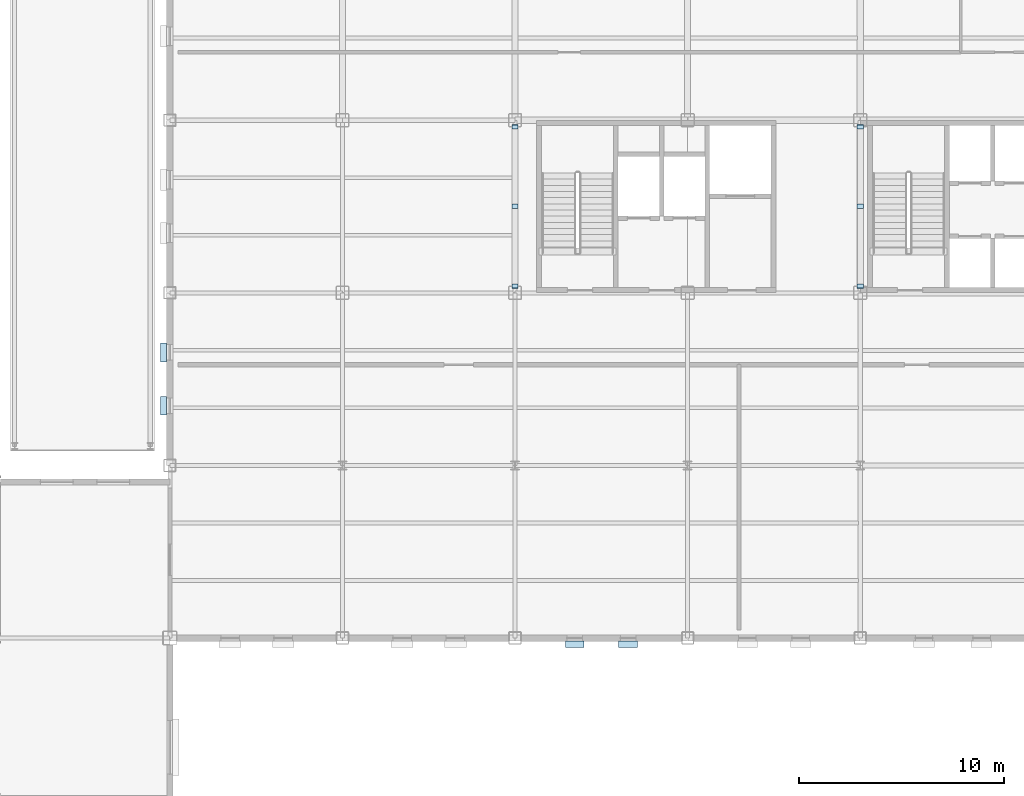
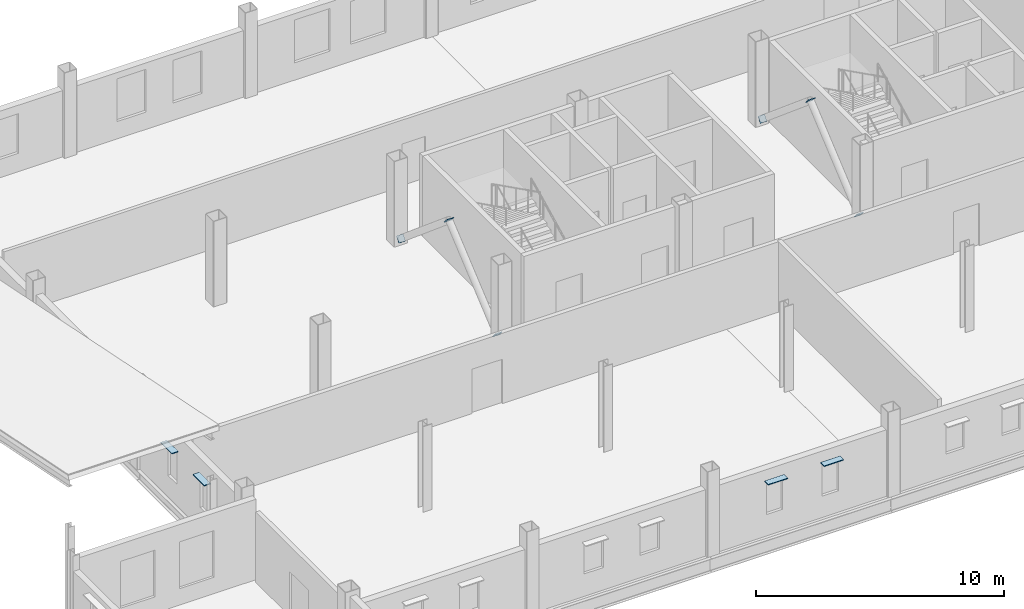
# One storey, part 59 of 75: 10 plates.
"""IFC4 building model written with IfcOpenShell, lengths in metres."""

from ifc_helpers import new_model, si_unit, direction, frame, origin, origin_2d, place, context, subcontext, project, spatial, rectangle, extrude, material, layer, layer_set, type_object, element, save


model = new_model("IFC4")

# Units and contexts
model_context = context("Model", 3, precision=1e-05, world=origin(), true_north=direction((0.0, 1.0)))
body_context = subcontext(model_context, "Body", "Model", "MODEL_VIEW")
ifc_project = project(units=[si_unit("LENGTHUNIT", "METRE"), si_unit("AREAUNIT", "SQUARE_METRE"), si_unit("VOLUMEUNIT", "CUBIC_METRE"), si_unit("PLANEANGLEUNIT", "RADIAN"), si_unit("MASSUNIT", "GRAM", prefix="KILO")], contexts=[model_context])

# Site, building, storey
site_placement = place(None, origin())
site = spatial("IfcSite", under=ifc_project, at=site_placement, CompositionType="ELEMENT")
building_placement = place(site_placement, origin())
building = spatial("IfcBuilding", under=site, at=building_placement, Name="Yukiwa Park Conservatory and Herbarium", CompositionType="ELEMENT")
storey_placement = place(building_placement, frame((0.0, 0.0, 4.800048828125)))
storey = spatial("IfcBuildingStorey", under=building, at=storey_placement, Name="L01", CompositionType="ELEMENT", Elevation=4.800048828125)

# Plates
ifc_material_1 = material(Name="Steel Q355D", Category="steel")
ifc_layer_1 = layer(ifc_material_1, 0.02392578125)
ifc_layer_set_1 = layer_set([ifc_layer_1], Name="Steel Q355D")
plate_type_1 = type_object("IfcPlateType", Name="PL-CAP-24-INT", PredefinedType="USERDEFINED", material=ifc_layer_set_1)
for number, where, z_axis, x_axis, name in (
    (1, (133.199951171875, 95.129638671875, 0.32666015625), (0.0, -0.760686645348, -0.649119270697), (1.0, 0.0, 0.0), "Hollow section end cap plate CAP-BR-L01-009A"),
    (2, (133.199951171875, 98.993896484375, 3.57470703125), (0.0, 0.760686645348, 0.649119270697), (-1.0, 0.0, 0.0), "Hollow section end cap plate CAP-BR-L01-009B"),
    (3, (133.199951171875, 102.870361328125, 0.32666015625), (0.0, 0.760686645348, -0.649119270697), (-1.0, 0.0, 0.0), "Hollow section end cap plate CAP-BR-L01-010A"),
    (4, (150.0, 95.129638671875, 0.32666015625), (0.0, -0.760686645348, -0.649119270697), (1.0, 0.0, 0.0), "Hollow section end cap plate CAP-BR-L01-011A"),
    (5, (150.0, 98.993896484375, 3.57470703125), (0.0, 0.760686645348, 0.649119270697), (-1.0, 0.0, 0.0), "Hollow section end cap plate CAP-BR-L01-011B"),
    (6, (150.0, 102.870361328125, 0.32666015625), (0.0, 0.760686645348, -0.649119270697), (-1.0, 0.0, 0.0), "Hollow section end cap plate CAP-BR-L01-012A"),
):
    element("IfcPlate", number, at=place(storey_placement, frame(where, z_axis=z_axis, x_axis=x_axis)), inside=storey, type_object=plate_type_1, Name=name, ObjectType="END CAP PLATE", PredefinedType="USERDEFINED", context=body_context, shape_type="SweptSolid", body=[
        extrude(rectangle(XDim=0.306396484375, YDim=0.306396484375, at=origin_2d()), origin(), (0.0, 0.0, 1.0), 0.024169921875),
    ])
ifc_material_2 = material(Name="Anodised Aluminium", Category="aluminium")
ifc_layer_2 = layer(ifc_material_2, 0.0400390625)
ifc_layer_set_2 = layer_set([ifc_layer_2], Name="Anodised Aluminium")
plate_type_2 = type_object("IfcPlateType", Name="PL-SHADE-ALU-40", PredefinedType="SHEET", material=ifc_layer_set_2)
for number, where, z_axis, x_axis, name in (
    (7, (136.10009765625, 77.699951171875, 2.68994140625), (0.0, 0.0, 1.0), (1.0, 0.0, 0.0), "L01 snow-shedding window hood 39"),
    (8, (138.699951171875, 77.699951171875, 2.68994140625), (0.0, 0.0, 1.0), (1.0, 0.0, 0.0), "L01 snow-shedding window hood 40"),
    (9, (116.10009765625, 91.89990234375, 2.68994140625), (0.0, 0.0, 1.0), (0.0, -1.0, 0.0), "L01 snow-shedding window hood 57"),
    (10, (116.10009765625, 89.300048828125, 2.68994140625), (0.0, 0.0, 1.0), (0.0, -1.0, 0.0), "L01 snow-shedding window hood 58"),
):
    element("IfcPlate", number, at=place(storey_placement, frame(where, z_axis=z_axis, x_axis=x_axis)), inside=storey, type_object=plate_type_2, Name=name, PredefinedType="SHEET", context=body_context, shape_type="SweptSolid", body=[
        extrude(rectangle(XDim=0.909912109375, YDim=0.300048828125, at=origin_2d()), origin(), (0.0, 0.0, 1.0), 0.0400390625),
    ])

save(model, "model.ifc")
